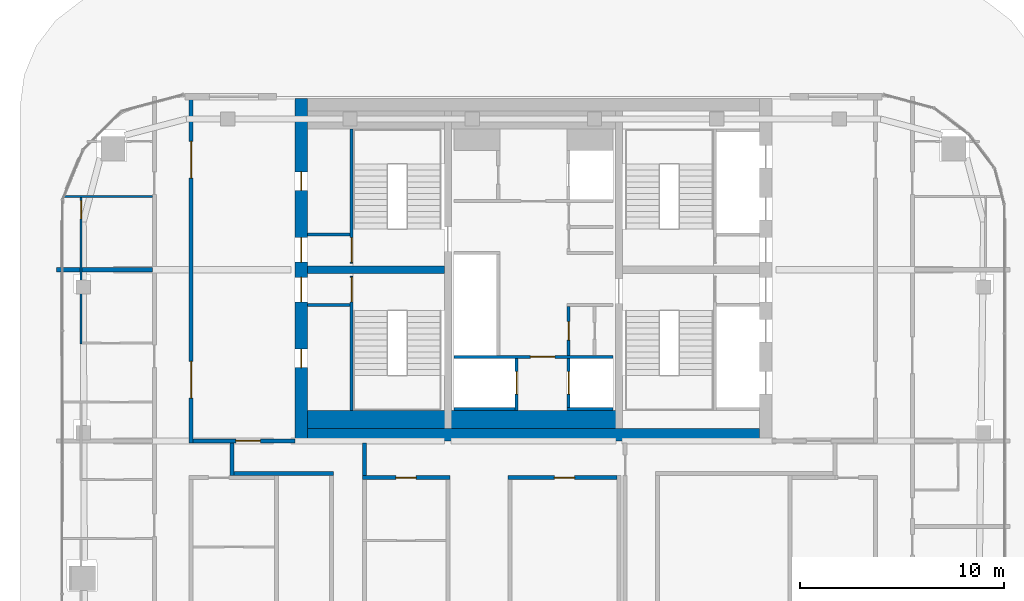
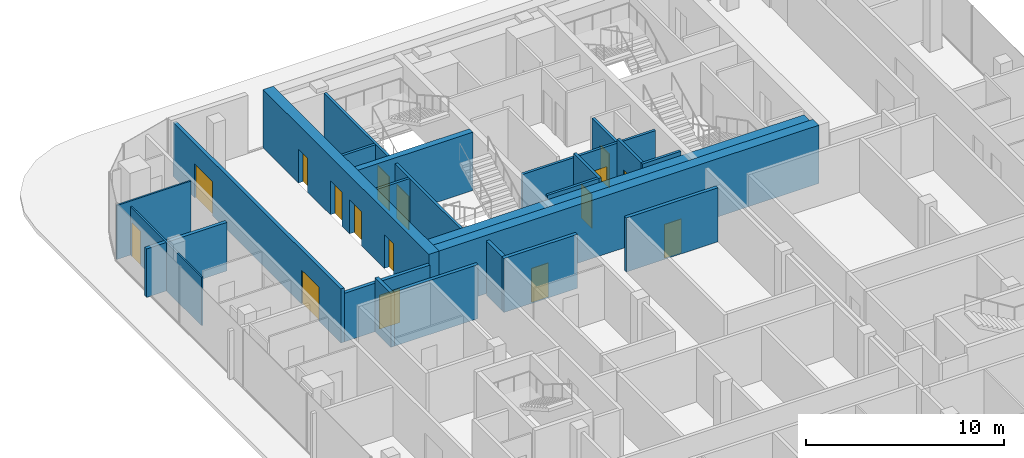
# One storey, part 17 of 21: 24 walls, 16 doors, 16 openings.
"""IFC4 building model written with IfcOpenShell, lengths in metres."""

from ifc_helpers import new_model, si_unit, direction, frame, frame_2d, origin, place, context, subcontext, project, spatial, rectangle, extrude, material, layer, layer_set, type_object, element, fill, save


model = new_model("IFC4")

# Units and contexts
model_context = context("Model", 3, precision=1e-05, world=origin(), true_north=direction((0.0, 1.0)))
body_context = subcontext(model_context, "Body", "Model", "MODEL_VIEW")
ifc_project = project(units=[si_unit("LENGTHUNIT", "METRE"), si_unit("AREAUNIT", "SQUARE_METRE"), si_unit("VOLUMEUNIT", "CUBIC_METRE"), si_unit("PLANEANGLEUNIT", "RADIAN"), si_unit("MASSUNIT", "GRAM", prefix="KILO")], contexts=[model_context])

# Site, building, storey
site_placement = place(None, origin())
site = spatial("IfcSite", under=ifc_project, at=site_placement, CompositionType="ELEMENT")
building_placement = place(site_placement, origin())
building = spatial("IfcBuilding", under=site, at=building_placement, Name="Marenta Gate Hotel Tower", CompositionType="ELEMENT")
storey_placement = place(building_placement, frame((0.0, 0.0, 266.89990234375)))
storey = spatial("IfcBuildingStorey", under=building, at=storey_placement, Name="L61", CompositionType="ELEMENT", Elevation=266.89990234375)

# Wall, openings, doors
ifc_material_1 = material(Name="Concrete blockwork", Category="masonry")
ifc_layer_1 = layer(ifc_material_1, 0.199951171875)
ifc_layer_set_1 = layer_set([ifc_layer_1], Name="Concrete blockwork")
wall_type_1 = type_object("IfcWallType", Name="Core boundary wall 200 REI 180", PredefinedType="PARTITIONING", material=ifc_layer_set_1)
wall_1_placement = place(storey_placement, frame((-16.800048828125, -0.10009765625, 0.0), z_axis=(0.0, 0.0, 1.0), x_axis=(0.0, 1.0, 0.0)))
wall_1 = element("IfcWall", 1, at=wall_1_placement, inside=storey, type_object=wall_type_1, Name="L61-CP-BW-W", PredefinedType="PARTITIONING", context=body_context, shape_type="SweptSolid", body=[
    extrude(rectangle(XDim=17.0, YDim=0.199951171875, at=frame_2d((8.5, 0.0))), origin(), (0.0, 0.0, 1.0), 3.340087890625),
])
opening_1_placement = place(wall_1_placement, frame((2.199951171875, 0.0, 0.0)))
opening_1 = element("IfcOpeningElement", 2, at=opening_1_placement, cuts=wall_1, Name="Opening ED-Wa-B", PredefinedType="OPENING", context=body_context, shape_type="SweptSolid", body=[
    extrude(rectangle(XDim=1.800048828125, YDim=2.10009765625, at=frame_2d((0.89990234375, 1.050048828125))), frame((0.0, 0.10009765625, 0.0), z_axis=(0.0, -1.0, 0.0), x_axis=(1.0, 0.0, 0.0)), (0.0, 0.0, 1.0), 0.199951171875),
])
opening_2_placement = place(wall_1_placement, frame((13.0, 0.0, 0.0)))
opening_2 = element("IfcOpeningElement", 3, at=opening_2_placement, cuts=wall_1, Name="Opening ED-Wb-B", PredefinedType="OPENING", context=body_context, shape_type="SweptSolid", body=[
    extrude(rectangle(XDim=1.800048828125, YDim=2.10009765625, at=frame_2d((0.89990234375, 1.050048828125))), frame((0.0, 0.10009765625, 0.0), z_axis=(0.0, -1.0, 0.0), x_axis=(1.0, 0.0, 0.0)), (0.0, 0.0, 1.0), 0.199951171875),
])
ifc_material_2 = material(Name="Steel", Category="steel")
door_type_1 = type_object("IfcDoorType", Name="Core lobby entrance door 1800x2100 EI 60", OperationType="DOUBLE_DOOR_SINGLE_SWING", PredefinedType="DOOR", material=ifc_material_2)
door_1_placement = place(opening_1_placement, origin())
door_1 = element("IfcDoor", 4, at=door_1_placement, inside=storey, type_object=door_type_1, Name="ED-Wa-B", OperationType="DOUBLE_DOOR_SINGLE_SWING", OverallHeight=2.10009765625, OverallWidth=1.800048828125, PredefinedType="DOOR", context=body_context, shape_type="SweptSolid", body=[
    extrude(rectangle(XDim=1.800048828125, YDim=2.10009765625, at=frame_2d((0.89990234375, 1.050048828125))), frame((0.0, 0.02490234375, 0.0), z_axis=(0.0, -1.0, 0.0), x_axis=(1.0, 0.0, 0.0)), (0.0, 0.0, 1.0), 0.050048828125),
])
fill(opening_1, door_1)
door_2_placement = place(opening_2_placement, origin())
door_2 = element("IfcDoor", 5, at=door_2_placement, inside=storey, type_object=door_type_1, Name="ED-Wb-B", OperationType="DOUBLE_DOOR_SINGLE_SWING", OverallHeight=2.10009765625, OverallWidth=1.800048828125, PredefinedType="DOOR", context=body_context, shape_type="SweptSolid", body=[
    extrude(rectangle(XDim=1.800048828125, YDim=2.10009765625, at=frame_2d((0.89990234375, 1.050048828125))), frame((0.0, 0.02490234375, 0.0), z_axis=(0.0, -1.0, 0.0), x_axis=(1.0, 0.0, 0.0)), (0.0, 0.0, 1.0), 0.050048828125),
])
fill(opening_2, door_2)

# Wall, opening, door
wall_2_placement = place(storey_placement, frame((-16.699951171875, 0.0, 0.0), z_axis=(0.0, 0.0, 1.0), x_axis=(1.0, 0.0, 0.0)))
wall_2 = element("IfcWall", 6, at=wall_2_placement, inside=storey, type_object=wall_type_1, Name="L61-CP-EW-WS", PredefinedType="PARTITIONING", context=body_context, shape_type="SweptSolid", body=[
    extrude(rectangle(XDim=5.0, YDim=0.199951171875, at=frame_2d((2.5, 0.0))), origin(), (0.0, 0.0, 1.0), 3.0),
])
opening_3_placement = place(wall_2_placement, frame((2.10009765625, 0.0, 0.0)))
opening_3 = element("IfcOpeningElement", 7, at=opening_3_placement, cuts=wall_2, Name="Opening RS-Z4-2", PredefinedType="OPENING", context=body_context, shape_type="SweptSolid", body=[
    extrude(rectangle(XDim=1.199951171875, YDim=2.10009765625, at=frame_2d((0.60009765625, 1.050048828125))), frame((0.0, 0.10009765625, 0.0), z_axis=(0.0, -1.0, 0.0), x_axis=(1.0, 0.0, 0.0)), (0.0, 0.0, 1.0), 0.199951171875),
])
ifc_material_3 = material(Name="Steel", Category="steel")
door_type_2 = type_object("IfcDoorType", Name="Core lobby door 1200x2100 EI 60", OperationType="SINGLE_SWING_LEFT", PredefinedType="DOOR", material=ifc_material_3)
door_3_placement = place(opening_3_placement, origin())
door_3 = element("IfcDoor", 8, at=door_3_placement, inside=storey, type_object=door_type_2, Name="RS-Z4-2", OperationType="SINGLE_SWING_LEFT", OverallHeight=2.10009765625, OverallWidth=1.199951171875, PredefinedType="DOOR", context=body_context, shape_type="SweptSolid", body=[
    extrude(rectangle(XDim=1.199951171875, YDim=2.10009765625, at=frame_2d((0.60009765625, 1.050048828125))), frame((0.0, 0.02490234375, 0.0), z_axis=(0.0, -1.0, 0.0), x_axis=(1.0, 0.0, 0.0)), (0.0, 0.0, 1.0), 0.050048828125),
])
fill(opening_3, door_3)

# Wall
ifc_material_4 = material(Name="Concrete C40", Category="concrete")
ifc_layer_2 = layer(ifc_material_4, 0.89990234375)
ifc_layer_set_2 = layer_set([ifc_layer_2], Name="Concrete C40")
wall_type_2 = type_object("IfcWallType", Name="Core lining wall 900 REI 180", PredefinedType="PARTITIONING", material=ifc_layer_set_2)
wall_3_placement = place(storey_placement, frame((-11.10009765625, 1.050048828125, 0.0), z_axis=(0.0, 0.0, 1.0), x_axis=(1.0, 0.0, 0.0)))
element("IfcWall", 9, at=wall_3_placement, inside=storey, type_object=wall_type_2, Name="L61-CP-LN-S", PredefinedType="PARTITIONING", context=body_context, shape_type="SweptSolid", body=[
    extrude(rectangle(XDim=22.2001953125, YDim=0.89990234375, at=frame_2d((11.10009765625, 0.0))), origin(), (0.0, 0.0, 1.0), 3.340087890625),
])

# Wall, opening, door
ifc_material_5 = material(Name="Concrete blockwork", Category="masonry")
ifc_layer_3 = layer(ifc_material_5, 0.14990234375)
ifc_layer_set_3 = layer_set([ifc_layer_3], Name="Concrete blockwork")
wall_type_3 = type_object("IfcWallType", Name="Core lobby partition 150 REI 180", PredefinedType="PARTITIONING", material=ifc_layer_set_3)
wall_4_placement = place(storey_placement, frame((-3.89990234375, 4.125, 0.0), z_axis=(0.0, 0.0, 1.0), x_axis=(1.0, 0.0, 0.0)))
wall_4 = element("IfcWall", 10, at=wall_4_placement, inside=storey, type_object=wall_type_3, Name="L61-CP-CW-S", PredefinedType="PARTITIONING", context=body_context, shape_type="SweptSolid", body=[
    extrude(rectangle(XDim=7.7998046875, YDim=0.14990234375, at=frame_2d((3.89990234375, 0.0))), origin(), (0.0, 0.0, 1.0), 3.340087890625),
])
opening_4_placement = place(wall_4_placement, frame((3.75, 0.0, 0.0)))
opening_4 = element("IfcOpeningElement", 11, at=opening_4_placement, cuts=wall_4, Name="Opening FD-FFS", PredefinedType="OPENING", context=body_context, shape_type="SweptSolid", body=[
    extrude(rectangle(XDim=1.199951171875, YDim=2.10009765625, at=frame_2d((0.60009765625, 1.050048828125))), frame((0.0, 0.074951171875, 0.0), z_axis=(0.0, -1.0, 0.0), x_axis=(1.0, 0.0, 0.0)), (0.0, 0.0, 1.0), 0.14990234375),
])
ifc_material_6 = material(Name="Steel", Category="steel")
door_type_3 = type_object("IfcDoorType", Name="Core lobby door 1200x2100 FD60", OperationType="SINGLE_SWING_LEFT", PredefinedType="DOOR", material=ifc_material_6)
door_4_placement = place(opening_4_placement, origin())
door_4 = element("IfcDoor", 12, at=door_4_placement, inside=storey, type_object=door_type_3, Name="FD-FFS", OperationType="SINGLE_SWING_LEFT", OverallHeight=2.10009765625, OverallWidth=1.199951171875, PredefinedType="DOOR", context=body_context, shape_type="SweptSolid", body=[
    extrude(rectangle(XDim=1.199951171875, YDim=2.10009765625, at=frame_2d((0.60009765625, 1.050048828125))), frame((0.0, 0.02490234375, 0.0), z_axis=(0.0, -1.0, 0.0), x_axis=(1.0, 0.0, 0.0)), (0.0, 0.0, 1.0), 0.050048828125),
])
fill(opening_4, door_4)

# Walls
ifc_material_7 = material(Name="Concrete blockwork", Category="masonry")
ifc_layer_4 = layer(ifc_material_7, 0.14990234375)
ifc_layer_set_4 = layer_set([ifc_layer_4], Name="Concrete blockwork")
wall_type_4 = type_object("IfcWallType", Name="Core room partition 150 REI 180", PredefinedType="PARTITIONING", material=ifc_layer_set_4)
for number, where, z_axis, x_axis, name in (
    (13, (-11.10009765625, 6.675048828125, 0.0), (0.0, 0.0, 1.0), (1.0, 0.0, 0.0), "L61-CP-SW-WS-2"),
    (14, (-11.10009765625, 10.125, 0.0), (0.0, 0.0, 1.0), (1.0, 0.0, 0.0), "L61-CP-SW-WN-2"),
):
    element("IfcWall", number, at=place(storey_placement, frame(where, z_axis=z_axis, x_axis=x_axis)), inside=storey, type_object=wall_type_4, Name=name, PredefinedType="PARTITIONING", context=body_context, shape_type="SweptSolid", body=[
        extrude(rectangle(XDim=2.10009765625, YDim=0.14990234375, at=frame_2d((1.050048828125, 0.0))), origin(), (0.0, 0.0, 1.0), 3.340087890625),
    ])

# Wall, opening, door
wall_5_placement = place(storey_placement, frame((1.72509765625, 4.199951171875, 0.0), z_axis=(0.0, 0.0, 1.0), x_axis=(0.0, 1.0, 0.0)))
wall_5 = element("IfcWall", 15, at=wall_5_placement, inside=storey, type_object=wall_type_4, Name="L61-CP-CE-front-1", PredefinedType="PARTITIONING", context=body_context, shape_type="SweptSolid", body=[
    extrude(rectangle(XDim=2.400146484375, YDim=0.14990234375, at=frame_2d((1.2001953125, 0.0))), origin(), (0.0, 0.0, 1.0), 3.340087890625),
])
opening_5_placement = place(wall_5_placement, frame((0.75, 0.0, 0.0)))
opening_5 = element("IfcOpeningElement", 16, at=opening_5_placement, cuts=wall_5, Name="Opening RD-CE-1a", PredefinedType="OPENING", context=body_context, shape_type="SweptSolid", body=[
    extrude(rectangle(XDim=0.89990234375, YDim=2.10009765625, at=frame_2d((0.449951171875, 1.050048828125))), frame((0.0, 0.074951171875, 0.0), z_axis=(0.0, -1.0, 0.0), x_axis=(1.0, 0.0, 0.0)), (0.0, 0.0, 1.0), 0.14990234375),
])
ifc_material_8 = material(Name="Steel", Category="steel")
door_type_4 = type_object("IfcDoorType", Name="Core service room door 900x2100 FD30S", OperationType="SINGLE_SWING_LEFT", PredefinedType="DOOR", material=ifc_material_8)
door_5_placement = place(opening_5_placement, origin())
door_5 = element("IfcDoor", 17, at=door_5_placement, inside=storey, type_object=door_type_4, Name="RD-CE-1a", OperationType="SINGLE_SWING_LEFT", OverallHeight=2.10009765625, OverallWidth=0.89990234375, PredefinedType="DOOR", context=body_context, shape_type="SweptSolid", body=[
    extrude(rectangle(XDim=0.89990234375, YDim=2.10009765625, at=frame_2d((0.449951171875, 1.050048828125))), frame((0.0, 0.02490234375, 0.0), z_axis=(0.0, -1.0, 0.0), x_axis=(1.0, 0.0, 0.0)), (0.0, 0.0, 1.0), 0.050048828125),
])
fill(opening_5, door_5)

ifc_material_9 = material(Name="Concrete C40", Category="concrete")
ifc_layer_5 = layer(ifc_material_9, 0.14990234375)
ifc_layer_set_5 = layer_set([ifc_layer_5], Name="Concrete C40")
wall_type_5 = type_object("IfcWallType", Name="Core shaft wall 150 REI 180", PredefinedType="SHEAR", material=ifc_layer_set_5)
wall_6_placement = place(storey_placement, frame((-0.824951171875, 1.5, 0.0), z_axis=(0.0, 0.0, 1.0), x_axis=(0.0, 1.0, 0.0)))
wall_6 = element("IfcWall", 18, at=wall_6_placement, inside=storey, type_object=wall_type_5, Name="L61-SHF-CW-W-ff", PredefinedType="SHEAR", context=body_context, shape_type="SweptSolid", body=[
    extrude(rectangle(XDim=2.550048828125, YDim=0.14990234375, at=frame_2d((1.27490234375, 0.0))), origin(), (0.0, 0.0, 1.0), 3.60009765625),
])
opening_6_placement = place(wall_6_placement, frame((0.800048828125, 0.0, 0.0)))
opening_6 = element("IfcOpeningElement", 19, at=opening_6_placement, cuts=wall_6, Name="Opening LD-FF1", PredefinedType="OPENING", context=body_context, shape_type="SweptSolid", body=[
    extrude(rectangle(XDim=1.10009765625, YDim=2.10009765625, at=frame_2d((0.550048828125, 1.050048828125))), frame((0.0, 0.074951171875, 0.0), z_axis=(0.0, -1.0, 0.0), x_axis=(1.0, 0.0, 0.0)), (0.0, 0.0, 1.0), 0.14990234375),
])
ifc_material_10 = material(Name="Steel", Category="steel")
door_type_5 = type_object("IfcDoorType", Name="Core lift landing door 1100x2100 E 60", OperationType="SLIDING_TO_LEFT", PredefinedType="DOOR", material=ifc_material_10)
door_6_placement = place(opening_6_placement, origin())
door_6 = element("IfcDoor", 20, at=door_6_placement, inside=storey, type_object=door_type_5, Name="LD-FF1", OperationType="SLIDING_TO_LEFT", OverallHeight=2.10009765625, OverallWidth=1.10009765625, PredefinedType="DOOR", context=body_context, shape_type="SweptSolid", body=[
    extrude(rectangle(XDim=1.10009765625, YDim=2.10009765625, at=frame_2d((0.550048828125, 1.050048828125))), frame((0.0, 0.02490234375, 0.0), z_axis=(0.0, -1.0, 0.0), x_axis=(1.0, 0.0, 0.0)), (0.0, 0.0, 1.0), 0.050048828125),
])
fill(opening_6, door_6)

# Wall
wall_7_placement = place(storey_placement, frame((-3.89990234375, 1.574951171875, 0.0), z_axis=(0.0, 0.0, 1.0), x_axis=(1.0, 0.0, 0.0)))
element("IfcWall", 21, at=wall_7_placement, inside=storey, type_object=wall_type_5, Name="L61-SHF-CW-W-ffs", PredefinedType="SHEAR", context=body_context, shape_type="SweptSolid", body=[
    extrude(rectangle(XDim=3.0, YDim=0.14990234375, at=frame_2d((1.5, 0.0))), origin(), (0.0, 0.0, 1.0), 3.60009765625),
])

# Wall, opening, door
wall_8_placement = place(storey_placement, frame((1.72509765625, 1.64990234375, 0.0), z_axis=(0.0, 0.0, 1.0), x_axis=(0.0, 1.0, 0.0)))
wall_8 = element("IfcWall", 22, at=wall_8_placement, inside=storey, type_object=wall_type_5, Name="L61-SHF-CE-S-ls", PredefinedType="SHEAR", context=body_context, shape_type="SweptSolid", body=[
    extrude(rectangle(XDim=2.400146484375, YDim=0.14990234375, at=frame_2d((1.2001953125, 0.0))), origin(), (0.0, 0.0, 1.0), 3.60009765625),
])
opening_7_placement = place(wall_8_placement, frame((0.64990234375, 0.0, 0.0)))
opening_7 = element("IfcOpeningElement", 23, at=opening_7_placement, cuts=wall_8, Name="Opening LD-SV1", PredefinedType="OPENING", context=body_context, shape_type="SweptSolid", body=[
    extrude(rectangle(XDim=1.10009765625, YDim=2.10009765625, at=frame_2d((0.550048828125, 1.050048828125))), frame((0.0, 0.074951171875, 0.0), z_axis=(0.0, -1.0, 0.0), x_axis=(1.0, 0.0, 0.0)), (0.0, 0.0, 1.0), 0.14990234375),
])
door_7_placement = place(opening_7_placement, origin())
door_7 = element("IfcDoor", 24, at=door_7_placement, inside=storey, type_object=door_type_5, Name="LD-SV1", OperationType="SLIDING_TO_LEFT", OverallHeight=2.10009765625, OverallWidth=1.10009765625, PredefinedType="DOOR", context=body_context, shape_type="SweptSolid", body=[
    extrude(rectangle(XDim=1.10009765625, YDim=2.10009765625, at=frame_2d((0.550048828125, 1.050048828125))), frame((0.0, 0.02490234375, 0.0), z_axis=(0.0, -1.0, 0.0), x_axis=(1.0, 0.0, 0.0)), (0.0, 0.0, 1.0), 0.050048828125),
])
fill(opening_7, door_7)

# Wall
wall_9_placement = place(storey_placement, frame((1.64990234375, 1.574951171875, 0.0), z_axis=(0.0, 0.0, 1.0), x_axis=(1.0, 0.0, 0.0)))
element("IfcWall", 25, at=wall_9_placement, inside=storey, type_object=wall_type_5, Name="L61-SHF-CE-S-bot", PredefinedType="SHEAR", context=body_context, shape_type="SweptSolid", body=[
    extrude(rectangle(XDim=2.25, YDim=0.14990234375, at=frame_2d((1.125, 0.0))), origin(), (0.0, 0.0, 1.0), 3.60009765625),
])

# Wall, opening, door
ifc_material_11 = material(Name="Concrete C40", Category="concrete")
ifc_layer_6 = layer(ifc_material_11, 0.14990234375)
ifc_layer_set_6 = layer_set([ifc_layer_6], Name="Concrete C40")
wall_type_6 = type_object("IfcWallType", Name="Core stair enclosure wall 150 REI 180", PredefinedType="SHEAR", material=ifc_layer_set_6)
wall_10_placement = place(storey_placement, frame((-8.925048828125, 1.5, 0.0), z_axis=(0.0, 0.0, 1.0), x_axis=(0.0, 1.0, 0.0)))
wall_10 = element("IfcWall", 26, at=wall_10_placement, inside=storey, type_object=wall_type_6, Name="L61-SHF-SW-WS-3", PredefinedType="SHEAR", context=body_context, shape_type="SweptSolid", body=[
    extrude(rectangle(XDim=6.60009765625, YDim=0.14990234375, at=frame_2d((3.300048828125, 0.0))), origin(), (0.0, 0.0, 1.0), 3.340087890625),
])
opening_8_placement = place(wall_10_placement, frame((5.324951171875, 0.0, 0.0)))
opening_8 = element("IfcOpeningElement", 27, at=opening_8_placement, cuts=wall_10, Name="Opening SD-WS", PredefinedType="OPENING", context=body_context, shape_type="SweptSolid", body=[
    extrude(rectangle(XDim=1.199951171875, YDim=2.10009765625, at=frame_2d((0.60009765625, 1.050048828125))), frame((0.0, 0.074951171875, 0.0), z_axis=(0.0, -1.0, 0.0), x_axis=(1.0, 0.0, 0.0)), (0.0, 0.0, 1.0), 0.14990234375),
])
ifc_material_12 = material(Name="Steel", Category="steel")
door_type_6 = type_object("IfcDoorType", Name="Core stair door 1200x2100 FD60", OperationType="SINGLE_SWING_LEFT", PredefinedType="DOOR", material=ifc_material_12)
door_8_placement = place(opening_8_placement, origin())
door_8 = element("IfcDoor", 28, at=door_8_placement, inside=storey, type_object=door_type_6, Name="SD-WS", OperationType="SINGLE_SWING_LEFT", OverallHeight=2.10009765625, OverallWidth=1.199951171875, PredefinedType="DOOR", context=body_context, shape_type="SweptSolid", body=[
    extrude(rectangle(XDim=1.199951171875, YDim=2.10009765625, at=frame_2d((0.60009765625, 1.050048828125))), frame((0.0, 0.02490234375, 0.0), z_axis=(0.0, -1.0, 0.0), x_axis=(1.0, 0.0, 0.0)), (0.0, 0.0, 1.0), 0.050048828125),
])
fill(opening_8, door_8)

wall_11_placement = place(storey_placement, frame((-8.925048828125, 8.699951171875, 0.0), z_axis=(0.0, 0.0, 1.0), x_axis=(0.0, 1.0, 0.0)))
wall_11 = element("IfcWall", 29, at=wall_11_placement, inside=storey, type_object=wall_type_6, Name="L61-SHF-SW-WN-3", PredefinedType="SHEAR", context=body_context, shape_type="SweptSolid", body=[
    extrude(rectangle(XDim=6.60009765625, YDim=0.14990234375, at=frame_2d((3.300048828125, 0.0))), origin(), (0.0, 0.0, 1.0), 3.340087890625),
])
opening_9_placement = place(wall_11_placement, frame((0.074951171875, 0.0, 0.0)))
opening_9 = element("IfcOpeningElement", 30, at=opening_9_placement, cuts=wall_11, Name="Opening SD-WN", PredefinedType="OPENING", context=body_context, shape_type="SweptSolid", body=[
    extrude(rectangle(XDim=1.199951171875, YDim=2.10009765625, at=frame_2d((0.60009765625, 1.050048828125))), frame((0.0, 0.074951171875, 0.0), z_axis=(0.0, -1.0, 0.0), x_axis=(1.0, 0.0, 0.0)), (0.0, 0.0, 1.0), 0.14990234375),
])
door_9_placement = place(opening_9_placement, origin())
door_9 = element("IfcDoor", 31, at=door_9_placement, inside=storey, type_object=door_type_6, Name="SD-WN", OperationType="SINGLE_SWING_LEFT", OverallHeight=2.10009765625, OverallWidth=1.199951171875, PredefinedType="DOOR", context=body_context, shape_type="SweptSolid", body=[
    extrude(rectangle(XDim=1.199951171875, YDim=2.10009765625, at=frame_2d((0.60009765625, 1.050048828125))), frame((0.0, 0.02490234375, 0.0), z_axis=(0.0, -1.0, 0.0), x_axis=(1.0, 0.0, 0.0)), (0.0, 0.0, 1.0), 0.050048828125),
])
fill(opening_9, door_9)

# Wall, openings, doors
ifc_material_13 = material(Name="Concrete C50", Category="concrete")
ifc_layer_7 = layer(ifc_material_13, 0.60009765625)
ifc_layer_set_7 = layer_set([ifc_layer_7], Name="Concrete C50")
wall_type_7 = type_object("IfcWallType", Name="Core wall 600 C50", PredefinedType="SHEAR", material=ifc_layer_set_7)
wall_12_placement = place(storey_placement, frame((-11.39990234375, 0.0, 0.0), z_axis=(0.0, 0.0, 1.0), x_axis=(0.0, 1.0, 0.0)))
wall_12 = element("IfcWall", 32, at=wall_12_placement, inside=storey, type_object=wall_type_7, Name="L61-CORE-W", PredefinedType="SHEAR", context=body_context, shape_type="SweptSolid", body=[
    extrude(rectangle(XDim=16.800048828125, YDim=0.60009765625, at=frame_2d((8.39990234375, 0.0))), origin(), (0.0, 0.0, 1.0), 3.60009765625),
])
opening_10_placement = place(wall_12_placement, frame((3.60009765625, 0.0, 0.0)))
opening_10 = element("IfcOpeningElement", 33, at=opening_10_placement, cuts=wall_12, Name="Opening RD-WS-1", PredefinedType="OPENING", context=body_context, shape_type="SweptSolid", body=[
    extrude(rectangle(XDim=0.89990234375, YDim=2.10009765625, at=frame_2d((0.449951171875, 1.050048828125))), frame((0.0, 0.300048828125, 0.0), z_axis=(0.0, -1.0, 0.0), x_axis=(1.0, 0.0, 0.0)), (0.0, 0.0, 1.0), 0.60009765625),
])
opening_11_placement = place(wall_12_placement, frame((6.824951171875, 0.0, 0.0)))
opening_11 = element("IfcOpeningElement", 34, at=opening_11_placement, cuts=wall_12, Name="Opening PD-WS", PredefinedType="OPENING", context=body_context, shape_type="SweptSolid", body=[
    extrude(rectangle(XDim=1.199951171875, YDim=2.10009765625, at=frame_2d((0.60009765625, 1.050048828125))), frame((0.0, 0.300048828125, 0.0), z_axis=(0.0, -1.0, 0.0), x_axis=(1.0, 0.0, 0.0)), (0.0, 0.0, 1.0), 0.60009765625),
])
opening_12_placement = place(wall_12_placement, frame((12.300048828125, 0.0, 0.0)))
opening_12 = element("IfcOpeningElement", 35, at=opening_12_placement, cuts=wall_12, Name="Opening RD-WN-1", PredefinedType="OPENING", context=body_context, shape_type="SweptSolid", body=[
    extrude(rectangle(XDim=0.89990234375, YDim=2.10009765625, at=frame_2d((0.449951171875, 1.050048828125))), frame((0.0, 0.300048828125, 0.0), z_axis=(0.0, -1.0, 0.0), x_axis=(1.0, 0.0, 0.0)), (0.0, 0.0, 1.0), 0.60009765625),
])
opening_13_placement = place(wall_12_placement, frame((8.77490234375, 0.0, 0.0)))
opening_13 = element("IfcOpeningElement", 36, at=opening_13_placement, cuts=wall_12, Name="Opening PD-WN", PredefinedType="OPENING", context=body_context, shape_type="SweptSolid", body=[
    extrude(rectangle(XDim=1.199951171875, YDim=2.10009765625, at=frame_2d((0.60009765625, 1.050048828125))), frame((0.0, 0.300048828125, 0.0), z_axis=(0.0, -1.0, 0.0), x_axis=(1.0, 0.0, 0.0)), (0.0, 0.0, 1.0), 0.60009765625),
])
door_10_placement = place(opening_11_placement, origin())
door_10 = element("IfcDoor", 37, at=door_10_placement, inside=storey, type_object=door_type_3, Name="PD-WS", OperationType="SINGLE_SWING_LEFT", OverallHeight=2.10009765625, OverallWidth=1.199951171875, PredefinedType="DOOR", context=body_context, shape_type="SweptSolid", body=[
    extrude(rectangle(XDim=1.199951171875, YDim=2.10009765625, at=frame_2d((0.60009765625, 1.050048828125))), frame((0.0, 0.02490234375, 0.0), z_axis=(0.0, -1.0, 0.0), x_axis=(1.0, 0.0, 0.0)), (0.0, 0.0, 1.0), 0.050048828125),
])
fill(opening_11, door_10)
door_11_placement = place(opening_13_placement, origin())
door_11 = element("IfcDoor", 38, at=door_11_placement, inside=storey, type_object=door_type_3, Name="PD-WN", OperationType="SINGLE_SWING_LEFT", OverallHeight=2.10009765625, OverallWidth=1.199951171875, PredefinedType="DOOR", context=body_context, shape_type="SweptSolid", body=[
    extrude(rectangle(XDim=1.199951171875, YDim=2.10009765625, at=frame_2d((0.60009765625, 1.050048828125))), frame((0.0, 0.02490234375, 0.0), z_axis=(0.0, -1.0, 0.0), x_axis=(1.0, 0.0, 0.0)), (0.0, 0.0, 1.0), 0.050048828125),
])
fill(opening_13, door_11)
door_12_placement = place(opening_10_placement, origin())
door_12 = element("IfcDoor", 39, at=door_12_placement, inside=storey, type_object=door_type_4, Name="RD-WS-1", OperationType="SINGLE_SWING_LEFT", OverallHeight=2.10009765625, OverallWidth=0.89990234375, PredefinedType="DOOR", context=body_context, shape_type="SweptSolid", body=[
    extrude(rectangle(XDim=0.89990234375, YDim=2.10009765625, at=frame_2d((0.449951171875, 1.050048828125))), frame((0.0, 0.02490234375, 0.0), z_axis=(0.0, -1.0, 0.0), x_axis=(1.0, 0.0, 0.0)), (0.0, 0.0, 1.0), 0.050048828125),
])
fill(opening_10, door_12)
door_13_placement = place(opening_12_placement, origin())
door_13 = element("IfcDoor", 40, at=door_13_placement, inside=storey, type_object=door_type_4, Name="RD-WN-1", OperationType="SINGLE_SWING_LEFT", OverallHeight=2.10009765625, OverallWidth=0.89990234375, PredefinedType="DOOR", context=body_context, shape_type="SweptSolid", body=[
    extrude(rectangle(XDim=0.89990234375, YDim=2.10009765625, at=frame_2d((0.449951171875, 1.050048828125))), frame((0.0, 0.02490234375, 0.0), z_axis=(0.0, -1.0, 0.0), x_axis=(1.0, 0.0, 0.0)), (0.0, 0.0, 1.0), 0.050048828125),
])
fill(opening_12, door_13)

# Walls
wall_13_placement = place(storey_placement, frame((-11.10009765625, 0.300048828125, 0.0), z_axis=(0.0, 0.0, 1.0), x_axis=(1.0, 0.0, 0.0)))
element("IfcWall", 41, at=wall_13_placement, inside=storey, type_object=wall_type_7, Name="L61-CORE-S", PredefinedType="SHEAR", context=body_context, shape_type="SweptSolid", body=[
    extrude(rectangle(XDim=22.2001953125, YDim=0.60009765625, at=frame_2d((11.10009765625, 0.0))), origin(), (0.0, 0.0, 1.0), 3.60009765625),
])
ifc_material_14 = material(Name="Concrete C50", Category="concrete")
ifc_layer_8 = layer(ifc_material_14, 0.35009765625)
ifc_layer_set_8 = layer_set([ifc_layer_8], Name="Concrete C50")
wall_type_8 = type_object("IfcWallType", Name="Core web 350 C50", PredefinedType="SHEAR", material=ifc_layer_set_8)
wall_14_placement = place(storey_placement, frame((-11.10009765625, 8.39990234375, 0.0), z_axis=(0.0, 0.0, 1.0), x_axis=(1.0, 0.0, 0.0)))
element("IfcWall", 42, at=wall_14_placement, inside=storey, type_object=wall_type_8, Name="L61-CORE-W3", PredefinedType="SHEAR", context=body_context, shape_type="SweptSolid", body=[
    extrude(rectangle(XDim=6.72509765625, YDim=0.35009765625, at=frame_2d((3.362548828125, 0.0))), origin(), (0.0, 0.0, 1.0), 3.60009765625),
])

# Wall, opening, door
ifc_material_15 = material(Name="Concrete blockwork", Category="masonry")
ifc_layer_9 = layer(ifc_material_15, 0.199951171875)
ifc_layer_set_9 = layer_set([ifc_layer_9], Name="Concrete blockwork")
wall_type_9 = type_object("IfcWallType", Name="Room corridor wall 200 EI 120", PredefinedType="PARTITIONING", material=ifc_layer_set_9)
wall_15_placement = place(storey_placement, frame((-8.39990234375, -1.800048828125, 0.0), z_axis=(0.0, 0.0, 1.0), x_axis=(1.0, 0.0, 0.0)))
wall_15 = element("IfcWall", 43, at=wall_15_placement, inside=storey, type_object=wall_type_9, Name="L61-PTN-W072", PredefinedType="PARTITIONING", context=body_context, shape_type="SweptSolid", body=[
    extrude(rectangle(XDim=4.2998046875, YDim=0.199951171875, at=frame_2d((2.14990234375, 0.0))), origin(), (0.0, 0.0, 1.0), 3.340087890625),
])
opening_14_placement = place(wall_15_placement, frame((1.64990234375, 0.0, 0.0)))
opening_14 = element("IfcOpeningElement", 44, at=opening_14_placement, cuts=wall_15, Name="Opening G22-03", PredefinedType="OPENING", context=body_context, shape_type="SweptSolid", body=[
    extrude(rectangle(XDim=1.0, YDim=2.10009765625, at=frame_2d((0.5, 1.050048828125))), frame((0.0, 0.10009765625, 0.0), z_axis=(0.0, -1.0, 0.0), x_axis=(1.0, 0.0, 0.0)), (0.0, 0.0, 1.0), 0.199951171875),
])
ifc_material_16 = material(Name="Hollow steel door set", Category="steel")
door_type_7 = type_object("IfcDoorType", Name="Room service door 1000x2100 EI 60", OperationType="NOTDEFINED", PredefinedType="DOOR", material=ifc_material_16)
door_14_placement = place(opening_14_placement, origin())
door_14 = element("IfcDoor", 45, at=door_14_placement, inside=storey, type_object=door_type_7, Name="L61-PD-D003", OperationType="SINGLE_SWING_LEFT", OverallHeight=2.10009765625, OverallWidth=1.0, PredefinedType="DOOR", context=body_context, shape_type="SweptSolid", body=[
    extrude(rectangle(XDim=1.0, YDim=2.10009765625, at=frame_2d((0.5, 1.050048828125))), frame((0.0, 0.02490234375, 0.0), z_axis=(0.0, -1.0, 0.0), x_axis=(1.0, 0.0, 0.0)), (0.0, 0.0, 1.0), 0.050048828125),
])
fill(opening_14, door_14)

ifc_material_17 = material(Name="Gypsum board on steel stud", Category="steel")
ifc_layer_10 = layer(ifc_material_17, 0.199951171875)
ifc_layer_set_10 = layer_set([ifc_layer_10], Name="Gypsum board on steel stud")
wall_type_10 = type_object("IfcWallType", Name="Room corridor wall 200 EI 60", PredefinedType="PARTITIONING", material=ifc_layer_set_10)
wall_16_placement = place(storey_placement, frame((-1.25, -1.800048828125, 0.0), z_axis=(0.0, 0.0, 1.0), x_axis=(1.0, 0.0, 0.0)))
wall_16 = element("IfcWall", 46, at=wall_16_placement, inside=storey, type_object=wall_type_10, Name="L61-PTN-W073", PredefinedType="PARTITIONING", context=body_context, shape_type="SweptSolid", body=[
    extrude(rectangle(XDim=5.35009765625, YDim=0.199951171875, at=frame_2d((2.675048828125, 0.0))), origin(), (0.0, 0.0, 1.0), 3.340087890625),
])
opening_15_placement = place(wall_16_placement, frame((2.27490234375, 0.0, 0.0)))
opening_15 = element("IfcOpeningElement", 47, at=opening_15_placement, cuts=wall_16, Name="Opening G22-05", PredefinedType="OPENING", context=body_context, shape_type="SweptSolid", body=[
    extrude(rectangle(XDim=1.0, YDim=2.10009765625, at=frame_2d((0.5, 1.050048828125))), frame((0.0, 0.10009765625, 0.0), z_axis=(0.0, -1.0, 0.0), x_axis=(1.0, 0.0, 0.0)), (0.0, 0.0, 1.0), 0.199951171875),
])
ifc_material_18 = material(Name="Timber door leaf", Category="wood")
door_type_8 = type_object("IfcDoorType", Name="Room amenity door 1000x2100 EI 30", OperationType="NOTDEFINED", PredefinedType="DOOR", material=ifc_material_18)
door_15_placement = place(opening_15_placement, origin())
door_15 = element("IfcDoor", 48, at=door_15_placement, inside=storey, type_object=door_type_8, Name="L61-PD-D005", OperationType="SINGLE_SWING_LEFT", OverallHeight=2.10009765625, OverallWidth=1.0, PredefinedType="DOOR", context=body_context, shape_type="SweptSolid", body=[
    extrude(rectangle(XDim=1.0, YDim=2.10009765625, at=frame_2d((0.5, 1.050048828125))), frame((0.0, 0.02490234375, 0.0), z_axis=(0.0, -1.0, 0.0), x_axis=(1.0, 0.0, 0.0)), (0.0, 0.0, 1.0), 0.050048828125),
])
fill(opening_15, door_15)

# Walls
ifc_material_19 = material(Name="Concrete blockwork", Category="masonry")
ifc_layer_11 = layer(ifc_material_19, 0.199951171875)
ifc_layer_set_11 = layer_set([ifc_layer_11], Name="Concrete blockwork")
wall_type_11 = type_object("IfcWallType", Name="Room corridor wall 200 REI 180", PredefinedType="PARTITIONING", material=ifc_layer_set_11)
wall_17_placement = place(storey_placement, frame((-14.699951171875, -1.60009765625, 0.0), z_axis=(0.0, 0.0, 1.0), x_axis=(1.0, 0.0, 0.0)))
element("IfcWall", 49, at=wall_17_placement, inside=storey, type_object=wall_type_11, Name="L61-PTN-W076", PredefinedType="PARTITIONING", context=body_context, shape_type="SweptSolid", body=[
    extrude(rectangle(XDim=4.89990234375, YDim=0.199951171875, at=frame_2d((2.449951171875, 0.0))), origin(), (0.0, 0.0, 1.0), 3.340087890625),
])
for number, where, z_axis, x_axis, name in (
    (50, (-8.300048828125, -1.699951171875, 0.0), (0.0, 0.0, 1.0), (0.0, 1.0, 0.0), "L61-PTN-W091"),
    (51, (-14.800048828125, -1.699951171875, 0.0), (0.0, 0.0, 1.0), (0.0, 1.0, 0.0), "L61-PTN-W107"),
):
    element("IfcWall", number, at=place(storey_placement, frame(where, z_axis=z_axis, x_axis=x_axis)), inside=storey, type_object=wall_type_11, Name=name, PredefinedType="PARTITIONING", context=body_context, shape_type="SweptSolid", body=[
        extrude(rectangle(XDim=1.599853515625, YDim=0.199951171875, at=frame_2d((0.7998046875, 0.0))), origin(), (0.0, 0.0, 1.0), 3.340087890625),
    ])
ifc_material_20 = material(Name="Gypsum board on steel stud", Category="steel")
ifc_layer_12 = layer(ifc_material_20, 0.10009765625)
ifc_layer_set_12 = layer_set([ifc_layer_12], Name="Gypsum board on steel stud")
wall_type_12 = type_object("IfcWallType", Name="Room partition 100", PredefinedType="PARTITIONING", material=ifc_layer_set_12)
wall_18_placement = place(storey_placement, frame((-23.027099609375, 12.0, 0.0), z_axis=(0.0, 0.0, 1.0), x_axis=(1.0, 0.0, 0.0)))
element("IfcWall", 52, at=wall_18_placement, inside=storey, type_object=wall_type_12, Name="L61-PTN-W100", PredefinedType="PARTITIONING", context=body_context, shape_type="SweptSolid", body=[
    extrude(rectangle(XDim=4.3271484375, YDim=0.10009765625, at=frame_2d((2.16357421875, 0.0))), origin(), (0.0, 0.0, 1.0), 3.340087890625),
])

# Wall, opening, door
wall_19_placement = place(storey_placement, frame((-22.199951171875, 4.75, 0.0), z_axis=(0.0, 0.0, 1.0), x_axis=(0.0, 1.0, 0.0)))
wall_19 = element("IfcWall", 53, at=wall_19_placement, inside=storey, type_object=wall_type_12, Name="L61-PTN-W116", PredefinedType="PARTITIONING", context=body_context, shape_type="SweptSolid", body=[
    extrude(rectangle(XDim=7.199951171875, YDim=0.10009765625, at=frame_2d((3.60009765625, 0.0))), origin(), (0.0, 0.0, 1.0), 3.0),
])
opening_16_placement = place(wall_19_placement, frame((6.14990234375, 0.0, 0.0)))
opening_16 = element("IfcOpeningElement", 54, at=opening_16_placement, cuts=wall_19, Name="Opening G22-51", PredefinedType="OPENING", context=body_context, shape_type="SweptSolid", body=[
    extrude(rectangle(XDim=0.89990234375, YDim=2.10009765625, at=frame_2d((0.449951171875, 1.050048828125))), frame((0.0, 0.050048828125, 0.0), z_axis=(0.0, -1.0, 0.0), x_axis=(1.0, 0.0, 0.0)), (0.0, 0.0, 1.0), 0.10009765625),
])
ifc_material_21 = material(Name="Timber door leaf", Category="wood")
door_type_9 = type_object("IfcDoorType", Name="Guest bathroom door 900x2100", OperationType="NOTDEFINED", PredefinedType="DOOR", material=ifc_material_21)
door_16_placement = place(opening_16_placement, origin())
door_16 = element("IfcDoor", 55, at=door_16_placement, inside=storey, type_object=door_type_9, Name="L61-PD-D051", OperationType="SINGLE_SWING_LEFT", OverallHeight=2.10009765625, OverallWidth=0.89990234375, PredefinedType="DOOR", context=body_context, shape_type="SweptSolid", body=[
    extrude(rectangle(XDim=0.89990234375, YDim=2.10009765625, at=frame_2d((0.449951171875, 1.050048828125))), frame((0.0, 0.02490234375, 0.0), z_axis=(0.0, -1.0, 0.0), x_axis=(1.0, 0.0, 0.0)), (0.0, 0.0, 1.0), 0.050048828125),
])
fill(opening_16, door_16)

# Wall
ifc_material_22 = material(Name="Gypsum board on steel stud", Category="steel")
ifc_layer_13 = layer(ifc_material_22, 0.199951171875)
ifc_layer_set_13 = layer_set([ifc_layer_13], Name="Gypsum board on steel stud")
wall_type_13 = type_object("IfcWallType", Name="Room party wall 200 EI 60", PredefinedType="PARTITIONING", material=ifc_layer_set_13)
wall_20_placement = place(storey_placement, frame((-23.39990234375, 8.39990234375, 0.0), z_axis=(0.0, 0.0, 1.0), x_axis=(1.0, 0.0, 0.0)))
element("IfcWall", 56, at=wall_20_placement, inside=storey, type_object=wall_type_13, Name="L61-PTN-W095", PredefinedType="PARTITIONING", context=body_context, shape_type="SweptSolid", body=[
    extrude(rectangle(XDim=4.699951171875, YDim=0.199951171875, at=frame_2d((2.35009765625, 0.0))), origin(), (0.0, 0.0, 1.0), 3.0),
])

save(model, "model.ifc")
